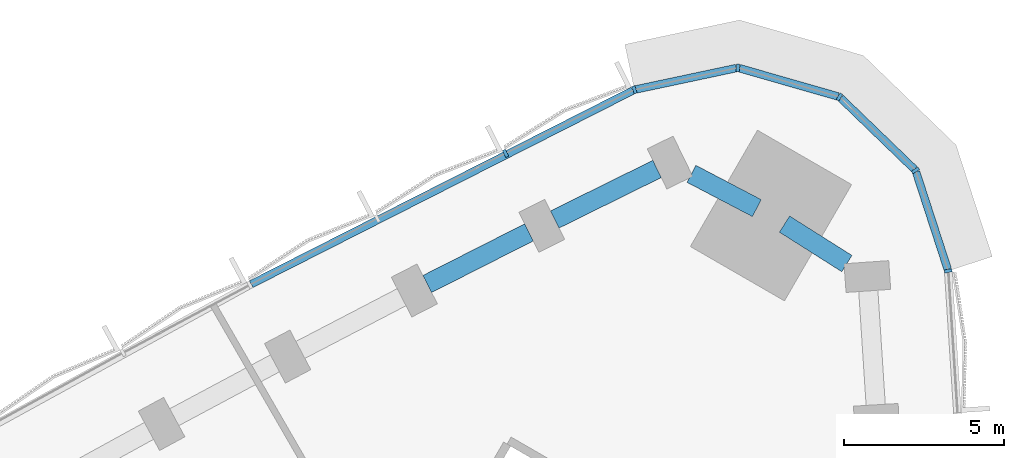
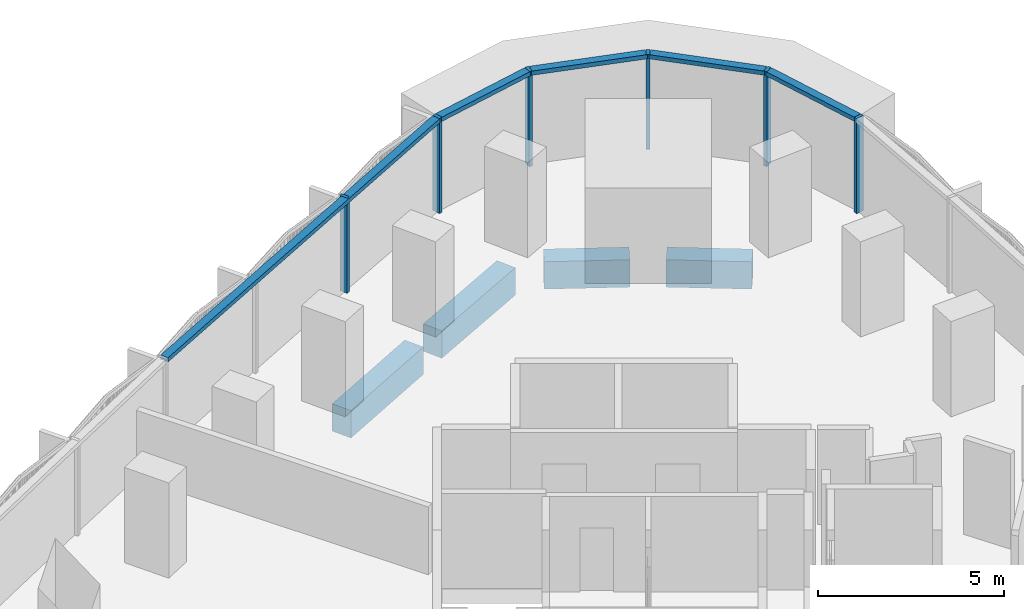
# One storey, part 6 of 15: 11 members, 4 beams, 2 elements without a shape of their own.
"""IFC4 building model written with IfcOpenShell, lengths in metres."""

import ifcopenshell
import ifcopenshell.guid

model = None  # the IFC model being written
_history = None  # IfcOwnerHistory: only IFC2X3 demands one
_inside = {}  # id of a spatial element -> (the spatial element, [elements in it])
_under = {}  # id of a project, library or spatial element -> (it, [spatial elements below it])
_declared = {}  # id of a project -> (the project, [libraries it declares])
_typed = {}  # id of a type object -> (the type object, [elements of that type])
_made_of = {}  # id of a material, layer set ... -> (it, [elements and type objects made of it])


def new_model(schema):
    """Start an empty IFC model of exactly this schema.

    Asked for "IFC4X3", IfcOpenShell would pick the latest addendum, in which some entities
    have other attributes; the version numbers below select the first issue.
    IFC2X3 requires an IfcOwnerHistory on every rooted entity: one is made here for all.
    """
    global model, _history
    if schema == "IFC4X3":
        model = ifcopenshell.file(schema_version=(4, 3, 0, 0))
    else:
        model = ifcopenshell.file(schema=schema)
    _inside.clear()
    _under.clear()
    _declared.clear()
    _typed.clear()
    _made_of.clear()
    _history = None
    if model.schema == "IFC2X3":
        org = make("IfcOrganization", Name="unknown")
        user = make(
            "IfcPersonAndOrganization",
            ThePerson=make("IfcPerson", FamilyName="unknown"),
            TheOrganization=org,
        )
        app = make(
            "IfcApplication",
            ApplicationDeveloper=org,
            Version="unknown",
            ApplicationFullName="unknown",
            ApplicationIdentifier="unknown",
        )
        _history = make(
            "IfcOwnerHistory",
            OwningUser=user,
            OwningApplication=app,
            ChangeAction="ADDED",
            CreationDate=0,
        )
    return model


def make(cls, **values):
    """One entity of the class cls with the attributes given. An attribute that is None is left unset."""
    return model.create_entity(
        cls, **{name: value for name, value in values.items() if value is not None}
    )


def rooted(cls, **values):
    """An entity with a GlobalId (a new one), such as an element, a storey or a relation."""
    return make(cls, GlobalId=ifcopenshell.guid.new(), OwnerHistory=_history, **values)


def si_unit(unit_type, name, prefix=None):
    """IfcSIUnit, for example si_unit("LENGTHUNIT", "METRE", prefix="MILLI")."""
    return make("IfcSIUnit", UnitType=unit_type, Prefix=prefix, Name=name)


def assignment(units):
    """IfcUnitAssignment: the units of a project."""
    return None if units is None else make("IfcUnitAssignment", Units=units)


def point(xyz):
    """IfcCartesianPoint."""
    return None if xyz is None else make("IfcCartesianPoint", Coordinates=xyz)


def direction(xyz):
    """IfcDirection."""
    return None if xyz is None else make("IfcDirection", DirectionRatios=xyz)


def frame(location, z_axis=None, x_axis=None):
    """IfcAxis2Placement3D, a coordinate frame: its origin and axes. An axis left out is left unset."""
    return make(
        "IfcAxis2Placement3D",
        Location=point(location),
        Axis=direction(z_axis),
        RefDirection=direction(x_axis),
    )


def frame_2d(location, x_axis=None):
    """IfcAxis2Placement2D, a coordinate frame in the plane: its origin and x axis."""
    return make(
        "IfcAxis2Placement2D", Location=point(location), RefDirection=direction(x_axis)
    )


def origin():
    """The frame at (0, 0, 0) with its axes left unset."""
    return frame((0.0, 0.0, 0.0))


def origin_2d():
    """The frame at (0, 0) in the plane with its x axis left unset."""
    return frame_2d((0.0, 0.0))


def place(relative_to, where):
    """IfcLocalPlacement: puts the frame where relative to a parent placement (None: the world)."""
    return make(
        "IfcLocalPlacement", PlacementRelTo=relative_to, RelativePlacement=where
    )


def context(
    kind, dimensions, precision=None, world=None, true_north=None, identifier=None
):
    """IfcGeometricRepresentationContext, for example the 3D "Model" context."""
    return make(
        "IfcGeometricRepresentationContext",
        ContextIdentifier=identifier,
        ContextType=kind,
        CoordinateSpaceDimension=dimensions,
        Precision=precision,
        WorldCoordinateSystem=world,
        TrueNorth=true_north,
    )


def subcontext(parent, identifier, kind, view, scale=None):
    """IfcGeometricRepresentationSubContext, for example "Body" below "Model"."""
    return make(
        "IfcGeometricRepresentationSubContext",
        ContextIdentifier=identifier,
        ContextType=kind,
        ParentContext=parent,
        TargetScale=scale,
        TargetView=view,
    )


def project(units=None, contexts=None):
    """IfcProject with its units and contexts."""
    return rooted(
        "IfcProject",
        Name="project",
        RepresentationContexts=contexts,
        UnitsInContext=assignment(units),
    )


def spatial(cls, under=None, at=None, **own):
    """A site, building, storey or space (cls), placed at a placement, below another one or the project."""
    s = rooted(cls, ObjectPlacement=at, **own)
    if under is not None:
        _under.setdefault(under.id(), (under, []))[1].append(s)
    return s


def profile(cls, at=None, kind="AREA", **sizes):
    """A parametric profile (cls). Its sizes go by their IFC names, for example OverallWidth=200.0."""
    return make(cls, ProfileType=kind, Position=at, **sizes)


def rectangle(**sizes):
    """IfcRectangleProfileDef."""
    return profile("IfcRectangleProfileDef", **sizes)


def extrude(swept, where, along, depth):
    """IfcExtrudedAreaSolid: the profile swept, set in the frame where, extruded along a direction by depth."""
    return make(
        "IfcExtrudedAreaSolid",
        SweptArea=swept,
        Position=where,
        ExtrudedDirection=direction(along),
        Depth=depth,
    )


def shape(context_of_items, identifier, shape_type, items):
    """IfcShapeRepresentation: the items that make up one representation, for example the "Body"."""
    return make(
        "IfcShapeRepresentation",
        ContextOfItems=context_of_items,
        RepresentationIdentifier=identifier,
        RepresentationType=shape_type,
        Items=items,
    )


def material(Name=None, Category=None):
    """IfcMaterial."""
    return make("IfcMaterial", Name=Name, Category=Category)


def material_profile(
    of_material, cross_section, Name=None, Category=None, Priority=None
):
    """IfcMaterialProfile: a cross section and its material."""
    return make(
        "IfcMaterialProfile",
        Name=Name,
        Material=of_material,
        Profile=cross_section,
        Priority=Priority,
        Category=Category,
    )


def profile_set(profiles, Name=None, composite=None):
    """IfcMaterialProfileSet."""
    return make(
        "IfcMaterialProfileSet",
        Name=Name,
        MaterialProfiles=profiles,
        CompositeProfile=composite,
    )


def made_of(thing, what):
    """Note that an element or type object is made of a material, layer set ...; save() writes the relation."""
    if what is not None:
        _made_of.setdefault(what.id(), (what, []))[1].append(thing)
    return thing


def type_object(cls, material=None, **own):
    """A type object (cls), such as IfcWallType, which elements share."""
    return made_of(rooted(cls, **own), material)


def element(
    cls,
    number,
    at=None,
    inside=None,
    cuts=None,
    type_object=None,
    material=None,
    context=None,
    identifier="Body",
    shape_type=None,
    held_by="IfcProductDefinitionShape",
    body=None,
    shapes=None,
    **own,
):
    """One element of the class cls, such as IfcWall. Its Tag is "e" and its number.

    at: its placement. inside: the storey or other place that contains it. cuts: it is an
    opening in that element (IfcRelVoidsElement). A single representation is given by context,
    identifier, shape_type and body (its items); several are given by shapes. held_by: the class
    of the entity that holds the representations. save() writes the other relations.
    """
    e = rooted(cls, Tag="e%d" % number, ObjectPlacement=at, **own)
    if body is not None:
        shapes = [shape(context, identifier, shape_type, body)]
    if shapes is not None:
        e.Representation = make(held_by, Representations=shapes)
    if inside is not None:
        _inside.setdefault(inside.id(), (inside, []))[1].append(e)
    if cuts is not None:
        rooted(
            "IfcRelVoidsElement", RelatingBuildingElement=cuts, RelatedOpeningElement=e
        )
    if type_object is not None:
        _typed.setdefault(type_object.id(), (type_object, []))[1].append(e)
    return made_of(e, material)


def aggregate(whole, parts):
    """IfcRelAggregates: a whole, such as a stair, and the parts it consists of."""
    return rooted("IfcRelAggregates", RelatingObject=whole, RelatedObjects=parts)


def save(model, path):
    """Write the relations noted so far, then the file.

    IfcRelAggregates (storeys below a building ...), IfcRelContainedInSpatialStructure (elements
    in a storey), IfcRelDefinesByType, IfcRelAssociatesMaterial and IfcRelDeclares: one each for
    every whole, place, type object, material and project.
    """
    for whole, parts in _under.values():
        aggregate(whole, parts)
    for where, things in _inside.values():
        rooted(
            "IfcRelContainedInSpatialStructure",
            RelatedElements=things,
            RelatingStructure=where,
        )
    for kind, things in _typed.values():
        rooted("IfcRelDefinesByType", RelatedObjects=things, RelatingType=kind)
    for what, things in _made_of.values():
        rooted("IfcRelAssociatesMaterial", RelatedObjects=things, RelatingMaterial=what)
    for by, libraries in _declared.values():
        rooted("IfcRelDeclares", RelatingContext=by, RelatedDefinitions=libraries)
    model.write(path)


model = new_model("IFC4")

# Units and contexts
model_context = context("Model", 3, precision=1e-05, world=origin(), true_north=direction((0.0, 1.0)))
body_context = subcontext(model_context, "Body", "Model", "MODEL_VIEW")
ifc_project = project(units=[si_unit("LENGTHUNIT", "METRE"), si_unit("AREAUNIT", "SQUARE_METRE"), si_unit("VOLUMEUNIT", "CUBIC_METRE"), si_unit("PLANEANGLEUNIT", "RADIAN"), si_unit("MASSUNIT", "GRAM", prefix="KILO")], contexts=[model_context])

# Site, building, storey
site_placement = place(None, origin())
site = spatial("IfcSite", under=ifc_project, at=site_placement, CompositionType="ELEMENT")
building_placement = place(site_placement, origin())
building = spatial("IfcBuilding", under=site, at=building_placement, Name="Tamra Quay Hotel Tower", CompositionType="ELEMENT")
storey_placement = place(building_placement, frame((0.0, 0.0, 63.800048828125)))
storey = spatial("IfcBuildingStorey", under=building, at=storey_placement, Name="L14", CompositionType="ELEMENT", Elevation=63.800048828125)

# Curtain wall, members
ifc_material_1 = material(Name="Aluminium 6063 anodised dark grey", Category="aluminium")
curtain_wall_type_1 = type_object("IfcCurtainWallType", Name="CW1 CURTAIN WALL", PredefinedType="NOTDEFINED", material=ifc_material_1)
curtain_wall_1_placement = place(storey_placement, origin())
curtain_wall_1 = element("IfcCurtainWall", 1, at=curtain_wall_1_placement, inside=storey, type_object=curtain_wall_type_1, Name="CW1 east face L14", PredefinedType="NOTDEFINED")
ifc_material_profile_1 = material_profile(ifc_material_1, rectangle(XDim=0.239990234375, YDim=0.10009765625, at=origin_2d()), Name="MULLION 100X240")
ifc_profile_set_1 = profile_set([ifc_material_profile_1], Name="Aluminium 6063 anodised dark grey")
member_type_1 = type_object("IfcMemberType", Name="MULLION CW1 Z1", PredefinedType="MULLION", material=ifc_profile_set_1)
member_1_placement = place(storey_placement, frame((23.40869140625, 29.2109375, 0.0), z_axis=(0.0, 0.0, 1.0), x_axis=(0.982094529733, 0.188388785943, 0.0)))
member_1 = element("IfcMember", 2, at=member_1_placement, type_object=member_type_1, Name="CW1 mullion L14.E.14", PredefinedType="MULLION", context=body_context, shape_type="SweptSolid", body=[
    extrude(rectangle(XDim=0.239990234375, YDim=0.10009765625, at=origin_2d()), origin(), (0.0, 0.0, 1.0), 3.125),
])
member_2_placement = place(storey_placement, frame((22.386474609375, 32.356201171875, 0.0), z_axis=(0.0, 0.0, 1.0), x_axis=(0.848039345356, 0.529933268183, 0.0)))
member_2 = element("IfcMember", 3, at=member_2_placement, type_object=member_type_1, Name="CW1 mullion L14.E.15", PredefinedType="MULLION", context=body_context, shape_type="SweptSolid", body=[
    extrude(rectangle(XDim=0.239990234375, YDim=0.10009765625, at=origin_2d()), origin(), (0.0, 0.0, 1.0), 3.125),
])
member_3_placement = place(storey_placement, frame((20.00732421875, 34.65380859375, 0.0), z_axis=(0.0, 0.0, 1.0), x_axis=(0.5, 0.866025403784, 0.0)))
member_3 = element("IfcMember", 4, at=member_3_placement, type_object=member_type_1, Name="CW1 mullion L14.E.16", PredefinedType="MULLION", context=body_context, shape_type="SweptSolid", body=[
    extrude(rectangle(XDim=0.239990234375, YDim=0.10009765625, at=origin_2d()), origin(), (0.0, 0.0, 1.0), 3.125),
])
member_4_placement = place(storey_placement, frame((16.828125, 35.5654296875, 0.0), z_axis=(0.0, 0.0, 1.0), x_axis=(0.034915999879, 0.999390250579, 0.0)))
member_4 = element("IfcMember", 5, at=member_4_placement, type_object=member_type_1, Name="CW1 mullion L14.E.17", PredefinedType="MULLION", context=body_context, shape_type="SweptSolid", body=[
    extrude(rectangle(XDim=0.239990234375, YDim=0.10009765625, at=origin_2d()), origin(), (0.0, 0.0, 1.0), 3.125),
])

curtain_wall_type_2 = type_object("IfcCurtainWallType", Name="CW2 CURTAIN WALL", PredefinedType="NOTDEFINED", material=ifc_material_1)
curtain_wall_2_placement = place(storey_placement, origin())
curtain_wall_2 = element("IfcCurtainWall", 6, at=curtain_wall_2_placement, inside=storey, type_object=curtain_wall_type_2, Name="CW2 north-west face L14", PredefinedType="NOTDEFINED")
ifc_material_profile_2 = material_profile(ifc_material_1, rectangle(XDim=0.239990234375, YDim=0.10009765625, at=origin_2d()), Name="MULLION 100X240")
ifc_profile_set_2 = profile_set([ifc_material_profile_2], Name="Aluminium 6063 anodised dark grey")
member_type_2 = type_object("IfcMemberType", Name="MULLION CW2 Z1", PredefinedType="MULLION", material=ifc_profile_set_2)
member_5_placement = place(storey_placement, frame((13.593017578125, 34.8779296875, 0.0), z_axis=(0.0, 0.0, 1.0), x_axis=(-0.327897790452, 0.944713204638, 0.0)))
member_5 = element("IfcMember", 7, at=member_5_placement, type_object=member_type_2, Name="CW2 mullion L14.NW.1", PredefinedType="MULLION", context=body_context, shape_type="SweptSolid", body=[
    extrude(rectangle(XDim=0.239990234375, YDim=0.10009765625, at=origin_2d()), origin(), (0.0, 0.0, 1.0), 3.125),
])
member_6_placement = place(storey_placement, frame((9.5615234375, 32.88671875, 0.0), z_axis=(0.0, 0.0, 1.0), x_axis=(-0.447640760231, 0.894213481099, 0.0)))
member_6 = element("IfcMember", 8, at=member_6_placement, type_object=member_type_2, Name="CW2 mullion L14.NW.2", PredefinedType="MULLION", context=body_context, shape_type="SweptSolid", body=[
    extrude(rectangle(XDim=0.239990234375, YDim=0.10009765625, at=origin_2d()), origin(), (0.0, 0.0, 1.0), 3.125),
])

# Beams
ifc_material_2 = material(Name="Concrete M60", Category="concrete")
ifc_material_profile_3 = material_profile(ifc_material_2, rectangle(XDim=0.60009765625, YDim=0.89990234375, at=origin_2d()), Name="SPANDREL BEAM RC 600x900")
ifc_profile_set_3 = profile_set([ifc_material_profile_3], Name="Concrete M60")
beam_type = type_object("IfcBeamType", Name="SPANDREL BEAM RC 600x900", PredefinedType="SPANDREL", material=ifc_profile_set_3)
beam_1_placement = place(storey_placement, frame((20.2373046875, 29.440185546875, -0.925048828125), z_axis=(-0.844978382684, 0.53480046073, 0.0), x_axis=(-0.53480046073, -0.844978382684, 0.0)))
element("IfcBeam", 9, at=beam_1_placement, inside=storey, type_object=beam_type, Name="BM-SP1-013-L14", PredefinedType="SPANDREL", context=body_context, shape_type="SweptSolid", body=[
    extrude(rectangle(XDim=0.60009765625, YDim=0.89990234375, at=origin_2d()), origin(), (0.0, 0.0, 1.0), 2.30859375),
])
beam_2_placement = place(storey_placement, frame((17.421630859375, 31.17431640625, -0.925048828125), z_axis=(-0.885674154565, 0.464307324879, 0.0), x_axis=(-0.464307324879, -0.885674154565, 0.0)))
element("IfcBeam", 10, at=beam_2_placement, inside=storey, type_object=beam_type, Name="BM-SP1-014-L14", PredefinedType="SPANDREL", context=body_context, shape_type="SweptSolid", body=[
    extrude(rectangle(XDim=0.60009765625, YDim=0.89990234375, at=origin_2d()), origin(), (0.0, 0.0, 1.0), 2.308349609375),
])
beam_3_placement = place(storey_placement, frame((14.301025390625, 32.3994140625, -0.925048828125), z_axis=(-0.896604328032, -0.442832563113, 0.0), x_axis=(0.442832563113, -0.896604328032, 0.0)))
element("IfcBeam", 11, at=beam_3_placement, inside=storey, type_object=beam_type, Name="BM-SP1-015-L14", PredefinedType="SPANDREL", context=body_context, shape_type="SweptSolid", body=[
    extrude(rectangle(XDim=0.60009765625, YDim=0.89990234375, at=origin_2d()), origin(), (0.0, 0.0, 1.0), 3.57080078125),
])
beam_4_placement = place(storey_placement, frame((10.294677734375, 30.415283203125, -0.925048828125), z_axis=(-0.891785652583, -0.452458119439, 0.0), x_axis=(0.452458119439, -0.891785652583, 0.0)))
element("IfcBeam", 12, at=beam_4_placement, inside=storey, type_object=beam_type, Name="BM-SP1-016-L14", PredefinedType="SPANDREL", context=body_context, shape_type="SweptSolid", body=[
    extrude(rectangle(XDim=0.60009765625, YDim=0.89990234375, at=origin_2d()), origin(), (0.0, 0.0, 1.0), 3.56982421875),
])

# Member
ifc_material_profile_4 = material_profile(ifc_material_1, rectangle(XDim=0.239990234375, YDim=0.139892578125, at=origin_2d()), Name="TRANSOM 240X140")
ifc_profile_set_4 = profile_set([ifc_material_profile_4], Name="Aluminium 6063 anodised dark grey")
member_type_3 = type_object("IfcMemberType", Name="TRANSOM CW1 Z1", PredefinedType="USERDEFINED", material=ifc_profile_set_4)
member_7_placement = place(storey_placement, frame((23.39306640625, 29.25830078125, 3.054931640625), z_axis=(-0.309025833938, 0.951053644102, 0.0), x_axis=(-0.951053644102, -0.309025833938, 0.0)))
member_7 = element("IfcMember", 13, at=member_7_placement, type_object=member_type_3, Name="CW1 transom L14.E.14", ObjectType="TRANSOM", PredefinedType="USERDEFINED", context=body_context, shape_type="SweptSolid", body=[
    extrude(rectangle(XDim=0.239990234375, YDim=0.139892578125, at=origin_2d()), origin(), (0.0, 0.0, 1.0), 3.20751953125),
])

member_8_placement = place(storey_placement, frame((22.3505859375, 32.39111328125, 3.054931640625), z_axis=(-0.719405395398, 0.694590438367, 0.0), x_axis=(-0.694590438367, -0.719405395398, 0.0)))
member_8 = element("IfcMember", 14, at=member_8_placement, type_object=member_type_3, Name="CW1 transom L14.E.15", ObjectType="TRANSOM", PredefinedType="USERDEFINED", context=body_context, shape_type="SweptSolid", body=[
    extrude(rectangle(XDim=0.239990234375, YDim=0.139892578125, at=origin_2d()), origin(), (0.0, 0.0, 1.0), 3.207275390625),
])

member_9_placement = place(storey_placement, frame((19.959228515625, 34.66748046875, 3.054931640625), z_axis=(-0.961262114071, 0.275635897612, 0.0), x_axis=(-0.275635897612, -0.961262114071, 0.0)))
member_9 = element("IfcMember", 15, at=member_9_placement, type_object=member_type_3, Name="CW1 transom L14.E.16", ObjectType="TRANSOM", PredefinedType="USERDEFINED", context=body_context, shape_type="SweptSolid", body=[
    extrude(rectangle(XDim=0.239990234375, YDim=0.139892578125, at=origin_2d()), origin(), (0.0, 0.0, 1.0), 3.207275390625),
])

member_10_placement = place(storey_placement, frame((16.779296875, 35.554931640625, 3.054931640625), z_axis=(-0.978156336052, -0.20787059013, 0.0), x_axis=(0.20787059013, -0.978156336052, 0.0)))
member_10 = element("IfcMember", 16, at=member_10_placement, type_object=member_type_3, Name="CW1 transom L14.E.17", ObjectType="TRANSOM", PredefinedType="USERDEFINED", context=body_context, shape_type="SweptSolid", body=[
    extrude(rectangle(XDim=0.239990234375, YDim=0.139892578125, at=origin_2d()), origin(), (0.0, 0.0, 1.0), 3.20751953125),
])

aggregate(curtain_wall_1, [member_1, member_7, member_2, member_8, member_3, member_9, member_4, member_10])

ifc_material_profile_5 = material_profile(ifc_material_1, rectangle(XDim=0.239990234375, YDim=0.139892578125, at=origin_2d()), Name="TRANSOM 240X140")
ifc_profile_set_5 = profile_set([ifc_material_profile_5], Name="Aluminium 6063 anodised dark grey")
member_type_4 = type_object("IfcMemberType", Name="TRANSOM CW2 Z1", PredefinedType="USERDEFINED", material=ifc_profile_set_5)
member_11_placement = place(storey_placement, frame((13.548095703125, 34.855712890625, 3.054931640625), z_axis=(-0.89178662734, -0.452456198208, 0.0), x_axis=(0.452456198208, -0.89178662734, 0.0)))
member_11 = element("IfcMember", 17, at=member_11_placement, type_object=member_type_4, Name="CW2 transom L14.NW.1", ObjectType="TRANSOM", PredefinedType="USERDEFINED", context=body_context, shape_type="SweptSolid", body=[
    extrude(rectangle(XDim=0.239990234375, YDim=0.139892578125, at=origin_2d()), origin(), (0.0, 0.0, 1.0), 13.39208984375),
])

aggregate(curtain_wall_2, [member_5, member_11, member_6])

save(model, "model.ifc")
